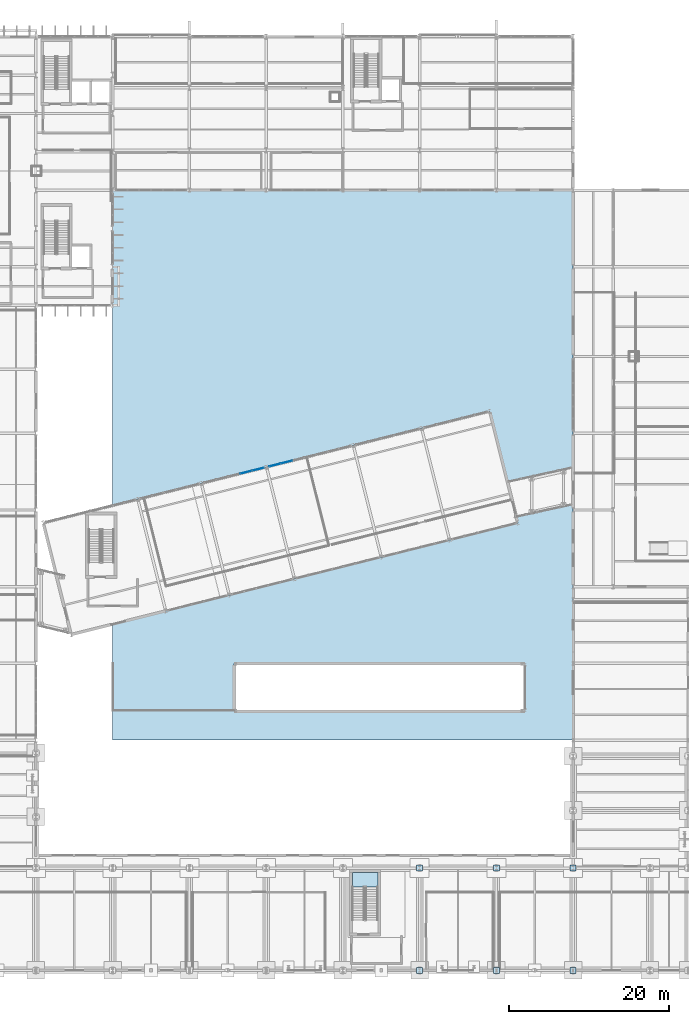
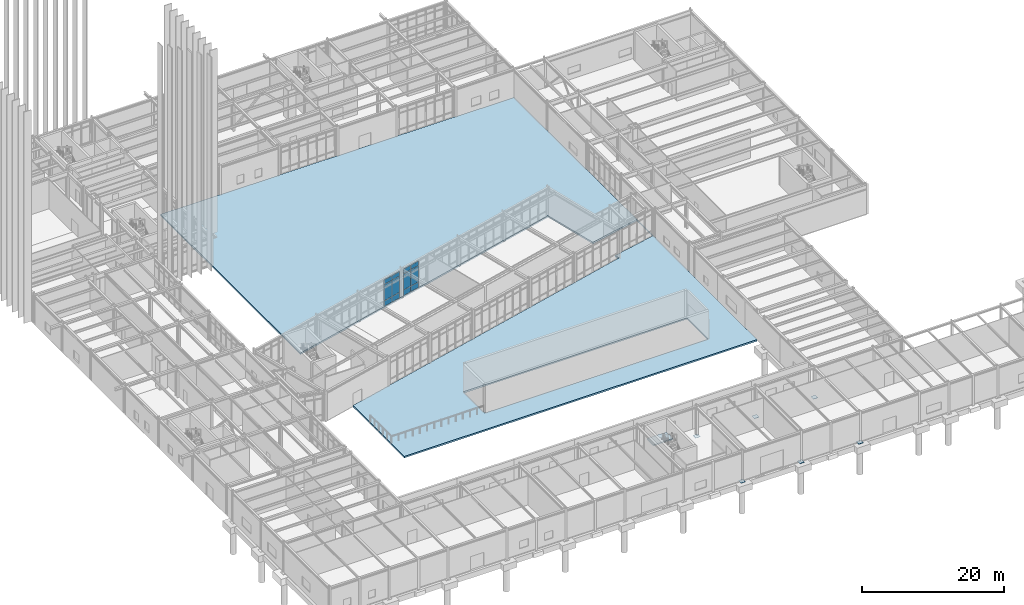
# One storey, part 68 of 109: 18 plates, 2 slabs, 3 elements without a shape of their own.
"""IFC4 building model written with IfcOpenShell, lengths in metres."""

from ifc_helpers import new_model, si_unit, direction, frame, origin, origin_2d, place, context, subcontext, project, spatial, polyline, rectangle, outline, extrude, material, layer, layer_set, type_object, element, aggregate, save


model = new_model("IFC4")

# Units and contexts
model_context = context("Model", 3, precision=1e-05, world=origin(), true_north=direction((0.0, 1.0)))
body_context = subcontext(model_context, "Body", "Model", "MODEL_VIEW")
ifc_project = project(units=[si_unit("LENGTHUNIT", "METRE"), si_unit("AREAUNIT", "SQUARE_METRE"), si_unit("VOLUMEUNIT", "CUBIC_METRE"), si_unit("PLANEANGLEUNIT", "RADIAN"), si_unit("MASSUNIT", "GRAM", prefix="KILO")], contexts=[model_context])

# Site, building, storey
site_placement = place(None, origin())
site = spatial("IfcSite", under=ifc_project, at=site_placement, CompositionType="ELEMENT")
building_placement = place(site_placement, origin())
building = spatial("IfcBuilding", under=site, at=building_placement, Name="Nordkorset Police Headquarters", CompositionType="ELEMENT")
storey_placement = place(building_placement, origin())
storey = spatial("IfcBuildingStorey", under=building, at=storey_placement, Name="L00", CompositionType="ELEMENT", Elevation=0.0)

# Curtain wall, plates
ifc_material_1 = material(Name="Aluminium alloy AW-6060", Category="aluminium")
ifc_layer_1 = layer(ifc_material_1, 0.179931640625, Name="Aluminium alloy AW-6060")
ifc_layer_set_1 = layer_set([ifc_layer_1], Name="Aluminium alloy AW-6060")
curtain_wall_type_1 = type_object("IfcCurtainWallType", Name="CW_Unit_776x467", PredefinedType="USERDEFINED", material=ifc_layer_set_1)
curtain_wall_1_placement = place(storey_placement, origin())
curtain_wall_1 = element("IfcCurtainWall", 1, at=curtain_wall_1_placement, inside=storey, type_object=curtain_wall_type_1, Name="Unitised Curtain Wall L00 V4N-2", ObjectType="UNITISED CURTAIN WALL", PredefinedType="USERDEFINED")
ifc_material_2 = material(Name="Low-iron triple glazing", Category="glass")
ifc_layer_2 = layer(ifc_material_2, 0.035888671875, Name="Low-iron triple glazing")
ifc_layer_set_2 = layer_set([ifc_layer_2], Name="Low-iron triple glazing")
plate_type_1 = type_object("IfcPlateType", Name="CW_Panel_TripleGlazing_36", PredefinedType="CURTAIN_PANEL", material=ifc_layer_set_2)
plate_1_placement = place(storey_placement, frame((45.478759765625, 62.312744140625, 0.06494140625), z_axis=(0.0, 0.0, 1.0), x_axis=(0.970142424344, 0.242535928242, 0.0)))
plate_1 = element("IfcPlate", 2, at=plate_1_placement, type_object=plate_type_1, Name="CW-99 panel 4.1", PredefinedType="CURTAIN_PANEL", context=body_context, shape_type="SweptSolid", body=[
    extrude(rectangle(XDim=1.487060546875, YDim=0.035888671875, at=origin_2d()), origin(), (0.0, 0.0, 1.0), 0.902587890625),
])
plate_2_placement = place(storey_placement, frame((45.478759765625, 62.312744140625, 1.032470703125), z_axis=(0.0, 0.0, 1.0), x_axis=(0.970142424344, 0.242535928242, 0.0)))
plate_2 = element("IfcPlate", 3, at=plate_2_placement, type_object=plate_type_1, Name="CW-99 panel 4.2", PredefinedType="CURTAIN_PANEL", context=body_context, shape_type="SweptSolid", body=[
    extrude(rectangle(XDim=1.487060546875, YDim=0.035888671875, at=origin_2d()), origin(), (0.0, 0.0, 1.0), 2.7548828125),
])
plate_3_placement = place(storey_placement, frame((45.478759765625, 62.312744140625, 3.8525390625), z_axis=(0.0, 0.0, 1.0), x_axis=(0.970142424344, 0.242535928242, 0.0)))
plate_3 = element("IfcPlate", 4, at=plate_3_placement, type_object=plate_type_1, Name="CW-99 panel 4.3", PredefinedType="CURTAIN_PANEL", context=body_context, shape_type="SweptSolid", body=[
    extrude(rectangle(XDim=1.487060546875, YDim=0.035888671875, at=origin_2d()), origin(), (0.0, 0.0, 1.0), 0.75244140625),
])
plate_4_placement = place(storey_placement, frame((46.968505859375, 62.685302734375, 0.06494140625), z_axis=(0.0, 0.0, 1.0), x_axis=(0.970142424344, 0.242535928242, 0.0)))
plate_4 = element("IfcPlate", 5, at=plate_4_placement, type_object=plate_type_1, Name="CW-99 panel 5.1", PredefinedType="CURTAIN_PANEL", context=body_context, shape_type="SweptSolid", body=[
    extrude(rectangle(XDim=1.45458984375, YDim=0.035888671875, at=origin_2d()), origin(), (0.0, 0.0, 1.0), 0.902587890625),
])
plate_5_placement = place(storey_placement, frame((46.968505859375, 62.685302734375, 1.032470703125), z_axis=(0.0, 0.0, 1.0), x_axis=(0.970142424344, 0.242535928242, 0.0)))
plate_5 = element("IfcPlate", 6, at=plate_5_placement, type_object=plate_type_1, Name="CW-99 panel 5.2", PredefinedType="CURTAIN_PANEL", context=body_context, shape_type="SweptSolid", body=[
    extrude(rectangle(XDim=1.45458984375, YDim=0.035888671875, at=origin_2d()), origin(), (0.0, 0.0, 1.0), 2.7548828125),
])
plate_6_placement = place(storey_placement, frame((46.968505859375, 62.685302734375, 3.8525390625), z_axis=(0.0, 0.0, 1.0), x_axis=(0.970142424344, 0.242535928242, 0.0)))
plate_6 = element("IfcPlate", 7, at=plate_6_placement, type_object=plate_type_1, Name="CW-99 panel 5.3", PredefinedType="CURTAIN_PANEL", context=body_context, shape_type="SweptSolid", body=[
    extrude(rectangle(XDim=1.45458984375, YDim=0.035888671875, at=origin_2d()), origin(), (0.0, 0.0, 1.0), 0.75244140625),
])
aggregate(curtain_wall_1, [plate_1, plate_2, plate_3, plate_4, plate_5, plate_6])

ifc_material_3 = material(Name="Aluminium alloy AW-6060", Category="aluminium")
ifc_layer_3 = layer(ifc_material_3, 0.179931640625, Name="Aluminium alloy AW-6060")
ifc_layer_set_3 = layer_set([ifc_layer_3], Name="Aluminium alloy AW-6060")
curtain_wall_type_2 = type_object("IfcCurtainWallType", Name="CW_Unit_1056x467", PredefinedType="USERDEFINED", material=ifc_layer_set_3)
curtain_wall_2_placement = place(storey_placement, origin())
curtain_wall_2 = element("IfcCurtainWall", 8, at=curtain_wall_2_placement, inside=storey, type_object=curtain_wall_type_2, Name="Unitised Curtain Wall L00 V4N-3", ObjectType="UNITISED CURTAIN WALL", PredefinedType="USERDEFINED")
plate_7_placement = place(storey_placement, frame((49.10546875, 63.219482421875, 0.06494140625), z_axis=(0.0, 0.0, 1.0), x_axis=(0.970142388735, 0.242536070676, 0.0)))
plate_7 = element("IfcPlate", 9, at=plate_7_placement, type_object=plate_type_1, Name="CW-18 panel 1.1", PredefinedType="CURTAIN_PANEL", context=body_context, shape_type="SweptSolid", body=[
    extrude(rectangle(XDim=1.4111328125, YDim=0.035888671875, at=origin_2d()), origin(), (0.0, 0.0, 1.0), 0.902587890625),
])
plate_8_placement = place(storey_placement, frame((49.10546875, 63.219482421875, 1.032470703125), z_axis=(0.0, 0.0, 1.0), x_axis=(0.970142388735, 0.242536070676, 0.0)))
plate_8 = element("IfcPlate", 10, at=plate_8_placement, type_object=plate_type_1, Name="CW-18 panel 1.2", PredefinedType="CURTAIN_PANEL", context=body_context, shape_type="SweptSolid", body=[
    extrude(rectangle(XDim=1.4111328125, YDim=0.035888671875, at=origin_2d()), origin(), (0.0, 0.0, 1.0), 2.7548828125),
])
plate_9_placement = place(storey_placement, frame((49.10546875, 63.219482421875, 3.8525390625), z_axis=(0.0, 0.0, 1.0), x_axis=(0.970142388735, 0.242536070676, 0.0)))
plate_9 = element("IfcPlate", 11, at=plate_9_placement, type_object=plate_type_1, Name="CW-18 panel 1.3", PredefinedType="CURTAIN_PANEL", context=body_context, shape_type="SweptSolid", body=[
    extrude(rectangle(XDim=1.4111328125, YDim=0.035888671875, at=origin_2d()), origin(), (0.0, 0.0, 1.0), 0.75244140625),
])
plate_10_placement = place(storey_placement, frame((50.55322265625, 63.58154296875, 0.06494140625), z_axis=(0.0, 0.0, 1.0), x_axis=(0.970142388735, 0.242536070676, 0.0)))
plate_10 = element("IfcPlate", 12, at=plate_10_placement, type_object=plate_type_1, Name="CW-18 panel 2.1", PredefinedType="CURTAIN_PANEL", context=body_context, shape_type="SweptSolid", body=[
    extrude(rectangle(XDim=1.443603515625, YDim=0.035888671875, at=origin_2d()), origin(), (0.0, 0.0, 1.0), 0.902587890625),
])
plate_11_placement = place(storey_placement, frame((50.55322265625, 63.58154296875, 1.032470703125), z_axis=(0.0, 0.0, 1.0), x_axis=(0.970142388735, 0.242536070676, 0.0)))
plate_11 = element("IfcPlate", 13, at=plate_11_placement, type_object=plate_type_1, Name="CW-18 panel 2.2", PredefinedType="CURTAIN_PANEL", context=body_context, shape_type="SweptSolid", body=[
    extrude(rectangle(XDim=1.443603515625, YDim=0.035888671875, at=origin_2d()), origin(), (0.0, 0.0, 1.0), 2.7548828125),
])
plate_12_placement = place(storey_placement, frame((50.55322265625, 63.58154296875, 3.8525390625), z_axis=(0.0, 0.0, 1.0), x_axis=(0.970142388735, 0.242536070676, 0.0)))
plate_12 = element("IfcPlate", 14, at=plate_12_placement, type_object=plate_type_1, Name="CW-18 panel 2.3", PredefinedType="CURTAIN_PANEL", context=body_context, shape_type="SweptSolid", body=[
    extrude(rectangle(XDim=1.443603515625, YDim=0.035888671875, at=origin_2d()), origin(), (0.0, 0.0, 1.0), 0.75244140625),
])
aggregate(curtain_wall_2, [plate_7, plate_8, plate_9, plate_10, plate_11, plate_12])

# Slab
ifc_material_4 = material(Name="Concrete C35/45", Category="concrete")
ifc_layer_4 = layer(ifc_material_4, 0.27001953125, Name="Concrete C35/45")
ifc_layer_set_4 = layer_set([ifc_layer_4], Name="Concrete C35/45")
slab_type_1 = type_object("IfcSlabType", Name="Slab_CourtyardDeck_270", PredefinedType="FLOOR", material=ifc_layer_set_4)
slab_1_placement = place(storey_placement, frame((0.0, 0.0, -0.27001953125)))
element("IfcSlab", 15, at=slab_1_placement, inside=storey, type_object=slab_type_1, Name="Central Courtyard Structural Deck over B01", PredefinedType="FLOOR", context=body_context, shape_type="SweptSolid", body=[
    extrude(outline(polyline([(86.300048828125, 48.199951171875), (86.300048828125, 28.800048828125), (28.802001953125, 28.800048828125), (28.802001953125, 43.300537109375), (79.480224609375, 55.969970703125), (79.28662109375, 56.744140625), (86.39501953125, 58.300048828125), (86.39501953125, 62.89990234375), (78.1962890625, 61.105712890625), (75.98779296875, 69.940185546875), (28.802001953125, 58.143798828125), (28.802001953125, 97.597900390625), (86.39794921875, 97.597900390625), (86.39794921875, 48.199951171875), (86.300048828125, 48.199951171875)]), holes=[polyline([(80.39990234375, 32.39990234375), (80.39990234375, 38.39990234375), (44.0, 38.39990234375), (44.0, 32.39990234375), (80.39990234375, 32.39990234375)])]), origin(), (0.0, 0.0, 1.0), 0.27001953125),
])

# Stair, slab
ifc_material_5 = material(Name="Concrete C35/45", Category="concrete")
stair_type = type_object("IfcStairType", Name="ST-52", PredefinedType="HALF_TURN_STAIR", material=ifc_material_5)
stair_placement = place(storey_placement, origin())
stair = element("IfcStair", 16, at=stair_placement, inside=storey, type_object=stair_type, Name="L00 Protected Escape Stair ST-10", PredefinedType="HALF_TURN_STAIR")
ifc_material_6 = material(Name="Concrete C35/45", Category="concrete")
ifc_layer_5 = layer(ifc_material_6, 0.199951171875, Name="Concrete C35/45")
ifc_layer_set_5 = layer_set([ifc_layer_5], Name="Concrete C35/45")
slab_type_2 = type_object("IfcSlabType", Name="Slab_StairLanding_200", PredefinedType="LANDING", material=ifc_layer_set_5)
slab_2_placement = place(storey_placement, frame((0.0, 0.0, 2.425048828125)))
slab_2 = element("IfcSlab", 17, at=slab_2_placement, type_object=slab_type_2, Name="ST-10 landing 1", PredefinedType="LANDING", context=body_context, shape_type="SweptSolid", body=[
    extrude(outline(polyline([(61.97509765625, 10.43505859375), (61.97509765625, 12.2548828125), (58.77490234375, 12.2548828125), (58.77490234375, 10.43505859375), (61.97509765625, 10.43505859375)])), origin(), (0.0, 0.0, 1.0), 0.199951171875),
])
aggregate(stair, [slab_2])

# Plates
ifc_material_7 = material(Name="Steel S355J2", Category="steel")
ifc_layer_6 = layer(ifc_material_7, 0.0400390625, Name="Steel S355J2")
ifc_layer_set_6 = layer_set([ifc_layer_6], Name="Steel S355J2")
plate_type_2 = type_object("IfcPlateType", Name="SteelPlate_40mm", PredefinedType="SHEET", material=ifc_layer_set_6)
for number, where, z_axis, x_axis, name in (
    (18, (67.199951171875, 0.0, -0.27001953125), (0.0, 0.0, 1.0), (1.0, 0.0, 0.0), "Column Baseplate V7_S0_7"),
    (19, (67.199951171875, 12.800048828125, -0.27001953125), (0.0, 0.0, 1.0), (1.0, 0.0, 0.0), "Column Baseplate V7_S1_7"),
    (20, (76.800048828125, 0.0, -0.27001953125), (0.0, 0.0, 1.0), (1.0, 0.0, 0.0), "Column Baseplate V7_S0_8"),
    (21, (76.800048828125, 12.800048828125, -0.27001953125), (0.0, 0.0, 1.0), (1.0, 0.0, 0.0), "Column Baseplate V7_S1_8"),
    (22, (86.39990234375, 0.0, -0.27001953125), (0.0, 0.0, 1.0), (1.0, 0.0, 0.0), "Column Baseplate V7_S0_9"),
    (23, (86.39990234375, 12.800048828125, -0.27001953125), (0.0, 0.0, 1.0), (1.0, 0.0, 0.0), "Column Baseplate V7_S1_9"),
):
    element("IfcPlate", number, at=place(storey_placement, frame(where, z_axis=z_axis, x_axis=x_axis)), inside=storey, type_object=plate_type_2, Name=name, PredefinedType="SHEET", context=body_context, shape_type="SweptSolid", body=[
        extrude(rectangle(XDim=0.75, YDim=0.75, at=origin_2d()), origin(), (0.0, 0.0, 1.0), 0.0400390625),
    ])

save(model, "model.ifc")
